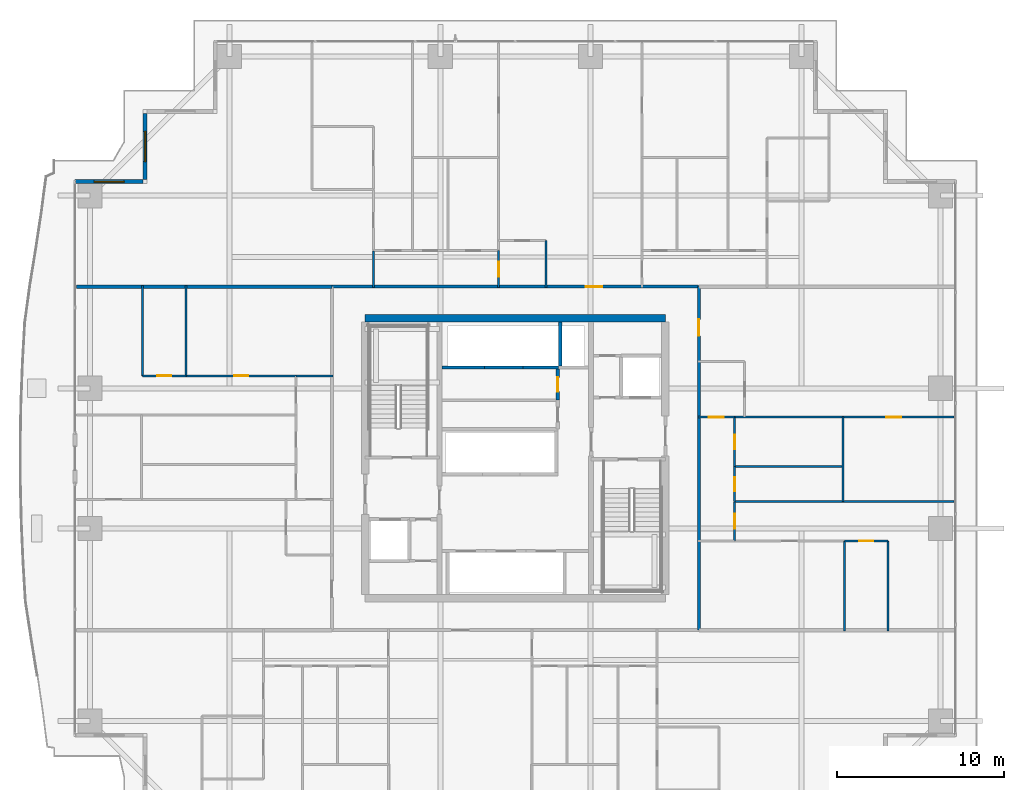
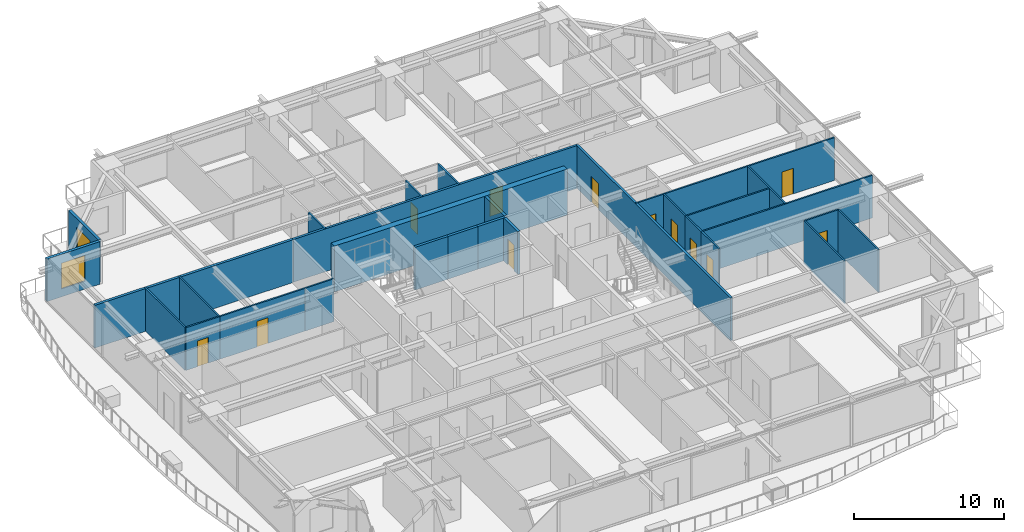
# One storey, part 30 of 41: 31 walls, 12 doors, 2 windows, 14 openings.
"""IFC4 building model written with IfcOpenShell, lengths in metres."""

from ifc_helpers import new_model, si_unit, direction, frame, frame_2d, origin, place, context, subcontext, project, spatial, rectangle, extrude, source, transform, mapped, material, layer, layer_set, type_object, element, fill, save


model = new_model("IFC4")

# Units and contexts
model_context = context("Model", 3, precision=1e-05, world=origin(), true_north=direction((0.0, 1.0)))
body_context = subcontext(model_context, "Body", "Model", "MODEL_VIEW")
ifc_project = project(units=[si_unit("LENGTHUNIT", "METRE"), si_unit("AREAUNIT", "SQUARE_METRE"), si_unit("VOLUMEUNIT", "CUBIC_METRE"), si_unit("PLANEANGLEUNIT", "RADIAN"), si_unit("MASSUNIT", "GRAM", prefix="KILO")], contexts=[model_context])

# Site, building, storey
site_placement = place(None, origin())
site = spatial("IfcSite", under=ifc_project, at=site_placement, CompositionType="ELEMENT")
building_placement = place(site_placement, origin())
building = spatial("IfcBuilding", under=site, at=building_placement, Name="Serunith Strait Residences", CompositionType="ELEMENT")
storey_placement = place(building_placement, frame((0.0, 0.0, 75.449951171875)))
storey = spatial("IfcBuildingStorey", under=building, at=storey_placement, Name="L18", CompositionType="ELEMENT", Elevation=75.449951171875)

# Wall, opening, window
ifc_material_1 = material(Name="Pale-Champagne Aluminium Insulated Panel", Category="aluminium")
ifc_layer_1 = layer(ifc_material_1, 0.219970703125, Name="Pale-Champagne Aluminium Insulated Panel")
ifc_layer_set_1 = layer_set([ifc_layer_1], Name="Pale-Champagne Aluminium Insulated Panel")
wall_type_1 = type_object("IfcWallType", Name="EW-ALUM-220", PredefinedType="ELEMENTEDWALL", material=ifc_layer_set_1)
wall_1_placement = place(storey_placement, frame((10.199951171875, 45.889892578125, 0.0), z_axis=(0.0, 0.0, 1.0), x_axis=(0.0, -1.0, 0.0)))
wall_1 = element("IfcWall", 1, at=wall_1_placement, inside=storey, type_object=wall_type_1, Name="L18 Girih Serrated Corner Wall 14", PredefinedType="ELEMENTEDWALL", context=body_context, shape_type="SweptSolid", body=[
    extrude(rectangle(XDim=3.97998046875, YDim=0.219970703125, at=frame_2d((1.989990234375, 0.0))), origin(), (0.0, 0.0, 1.0), 3.47509765625),
])
opening_1_placement = place(wall_1_placement, frame((1.090087890625, 0.0, 0.64990234375)))
opening_1 = element("IfcOpeningElement", 2, at=opening_1_placement, cuts=wall_1, Name="Opening W-01", PredefinedType="OPENING", context=body_context, shape_type="SweptSolid", body=[
    extrude(rectangle(XDim=1.800048828125, YDim=2.10009765625, at=frame_2d((0.89990234375, 1.050048828125))), frame((0.0, 0.1201171875, 0.0), z_axis=(0.0, -1.0, 0.0), x_axis=(1.0, 0.0, 0.0)), (0.0, 0.0, 1.0), 0.239990234375),
])
ifc_material_2 = material(Name="Ceramic-Fritted Operable Aluminium Window Glass", Category="aluminium")
window_type = type_object("IfcWindowType", Name="WIN-C1", PartitioningType="DOUBLE_PANEL_VERTICAL", PredefinedType="WINDOW", material=ifc_material_2)
shared_shape_1 = source(origin(), body_context, "Body", "SweptSolid", [
    extrude(rectangle(XDim=1.800048828125, YDim=2.10009765625, at=frame_2d((0.89990234375, 1.050048828125))), frame((0.0, 0.030029296875, 0.0), z_axis=(0.0, -1.0, 0.0), x_axis=(1.0, 0.0, 0.0)), (0.0, 0.0, 1.0), 0.06005859375),
])
window_1_placement = place(opening_1_placement, origin())
window_1 = element("IfcWindow", 3, at=window_1_placement, inside=storey, type_object=window_type, Name="L18 Corner Operable Fritted Window 14", OverallHeight=2.10009765625, OverallWidth=1.800048828125, PartitioningType="SINGLE_PANEL", PredefinedType="WINDOW", context=body_context, shape_type="MappedRepresentation", body=[
    mapped(shared_shape_1, transform((0.0, 0.0, 0.0), scale=1.0)),
])
fill(opening_1, window_1)

wall_2_placement = place(storey_placement, frame((10.090087890625, 41.800048828125, 0.0), z_axis=(0.0, 0.0, 1.0), x_axis=(-1.0, 0.0, 0.0)))
wall_2 = element("IfcWall", 4, at=wall_2_placement, inside=storey, type_object=wall_type_1, Name="L18 Girih Serrated Corner Wall 15", PredefinedType="ELEMENTEDWALL", context=body_context, shape_type="SweptSolid", body=[
    extrude(rectangle(XDim=4.090087890625, YDim=0.219970703125, at=frame_2d((2.044921875, 0.0))), origin(), (0.0, 0.0, 1.0), 3.47509765625),
])
opening_2_placement = place(wall_2_placement, frame((1.14501953125, 0.0, 0.64990234375)))
opening_2 = element("IfcOpeningElement", 5, at=opening_2_placement, cuts=wall_2, Name="Opening W-01", PredefinedType="OPENING", context=body_context, shape_type="SweptSolid", body=[
    extrude(rectangle(XDim=1.800048828125, YDim=2.10009765625, at=frame_2d((0.89990234375, 1.050048828125))), frame((0.0, 0.1201171875, 0.0), z_axis=(0.0, -1.0, 0.0), x_axis=(1.0, 0.0, 0.0)), (0.0, 0.0, 1.0), 0.239990234375),
])
window_2_placement = place(opening_2_placement, origin())
window_2 = element("IfcWindow", 6, at=window_2_placement, inside=storey, type_object=window_type, Name="L18 Corner Operable Fritted Window 15", OverallHeight=2.10009765625, OverallWidth=1.800048828125, PartitioningType="SINGLE_PANEL", PredefinedType="WINDOW", context=body_context, shape_type="MappedRepresentation", body=[
    mapped(shared_shape_1, transform((0.0, 0.0, 0.0), scale=1.0)),
])
fill(opening_2, window_2)

# Wall, opening, door
ifc_material_3 = material(Name="Fire-rated acoustic gypsum partition")
ifc_layer_2 = layer(ifc_material_3, 0.179931640625, Name="Fire-rated acoustic gypsum partition")
ifc_layer_set_2 = layer_set([ifc_layer_2], Name="Fire-rated acoustic gypsum partition")
wall_type_2 = type_object("IfcWallType", Name="IW-CORR-180", PredefinedType="PARTITIONING", material=ifc_layer_set_2)
wall_3_placement = place(storey_placement, frame((21.402099609375, 35.5, 0.0), z_axis=(0.0, 0.0, 1.0), x_axis=(1.0, 0.0, 0.0)))
wall_3 = element("IfcWall", 7, at=wall_3_placement, inside=storey, type_object=wall_type_2, Name="L18 Partition Wall 022", PredefinedType="PARTITIONING", context=body_context, shape_type="SweptSolid", body=[
    extrude(rectangle(XDim=21.995849609375, YDim=0.179931640625, at=frame_2d((10.998046875, 0.0))), origin(), (0.0, 0.0, 1.0), 3.489990234375),
])
opening_3_placement = place(wall_3_placement, frame((15.221923828125, 0.0, 0.0)))
opening_3 = element("IfcOpeningElement", 8, at=opening_3_placement, cuts=wall_3, Name="Opening D-APT1000", PredefinedType="OPENING", context=body_context, shape_type="SweptSolid", body=[
    extrude(rectangle(XDim=1.0, YDim=2.14990234375, at=frame_2d((0.5, 1.074951171875))), frame((0.0, 0.10009765625, 0.0), z_axis=(0.0, -1.0, 0.0), x_axis=(1.0, 0.0, 0.0)), (0.0, 0.0, 1.0), 0.199951171875),
])
ifc_material_4 = material(Name="Solid timber engineered fire door", Category="wood")
door_type_1 = type_object("IfcDoorType", Name="ID-APT-1000", OperationType="NOTDEFINED", PredefinedType="DOOR", material=ifc_material_4)
shared_shape_2 = source(origin(), body_context, "Body", "SweptSolid", [
    extrude(rectangle(XDim=1.0, YDim=2.14990234375, at=frame_2d((0.5, 1.074951171875))), frame((0.0, 0.02490234375, 0.0), z_axis=(0.0, -1.0, 0.0), x_axis=(1.0, 0.0, 0.0)), (0.0, 0.0, 1.0), 0.050048828125),
])
door_1_placement = place(opening_3_placement, origin())
door_1 = element("IfcDoor", 9, at=door_1_placement, inside=storey, type_object=door_type_1, Name="L18 Unit 02 Entrance Door", OperationType="SINGLE_SWING_LEFT", OverallHeight=2.14990234375, OverallWidth=1.0, PredefinedType="DOOR", context=body_context, shape_type="MappedRepresentation", body=[
    mapped(shared_shape_2, transform((0.0, 0.0, 0.0), scale=1.0)),
])
fill(opening_3, door_1)

wall_4_placement = place(storey_placement, frame((43.39990234375, 14.89990234375, 0.0), z_axis=(0.0, 0.0, 1.0), x_axis=(0.0, 1.0, 0.0)))
wall_4 = element("IfcWall", 10, at=wall_4_placement, inside=storey, type_object=wall_type_2, Name="L18 Partition Wall 024", PredefinedType="PARTITIONING", context=body_context, shape_type="SweptSolid", body=[
    extrude(rectangle(XDim=20.60009765625, YDim=0.179931640625, at=frame_2d((10.300048828125, 0.0))), origin(), (0.0, 0.0, 1.0), 3.489990234375),
])
opening_4_placement = place(wall_4_placement, frame((17.639892578125, 0.0, 0.0)))
opening_4 = element("IfcOpeningElement", 11, at=opening_4_placement, cuts=wall_4, Name="Opening D-APT1000", PredefinedType="OPENING", context=body_context, shape_type="SweptSolid", body=[
    extrude(rectangle(XDim=1.0, YDim=2.14990234375, at=frame_2d((0.5, 1.074951171875))), frame((0.0, 0.10009765625, 0.0), z_axis=(0.0, -1.0, 0.0), x_axis=(1.0, 0.0, 0.0)), (0.0, 0.0, 1.0), 0.199951171875),
])
door_2_placement = place(opening_4_placement, origin())
door_2 = element("IfcDoor", 12, at=door_2_placement, inside=storey, type_object=door_type_1, Name="L18 Unit 04 Entrance Door", OperationType="SINGLE_SWING_LEFT", OverallHeight=2.14990234375, OverallWidth=1.0, PredefinedType="DOOR", context=body_context, shape_type="MappedRepresentation", body=[
    mapped(shared_shape_2, transform((0.0, 0.0, 0.0), scale=1.0)),
])
fill(opening_4, door_2)

# Wall
ifc_material_5 = material(Name="Lightweight steel-stud gypsum partition", Category="steel")
ifc_layer_3 = layer(ifc_material_5, 0.1201171875, Name="Lightweight steel-stud gypsum partition")
ifc_layer_set_3 = layer_set([ifc_layer_3], Name="Lightweight steel-stud gypsum partition")
wall_type_3 = type_object("IfcWallType", Name="IW-PART-120", PredefinedType="PARTITIONING", material=ifc_layer_set_3)
wall_5_placement = place(storey_placement, frame((34.25, 38.25, 0.0), z_axis=(0.0, 0.0, 1.0), x_axis=(0.0, -1.0, 0.0)))
element("IfcWall", 13, at=wall_5_placement, inside=storey, type_object=wall_type_3, Name="L18 Partition Wall 056", PredefinedType="PARTITIONING", context=body_context, shape_type="SweptSolid", body=[
    extrude(rectangle(XDim=2.81005859375, YDim=0.1201171875, at=frame_2d((1.405029296875, 0.0))), origin(), (0.0, 0.0, 1.0), 3.489990234375),
])

# Wall, opening, door
wall_6_placement = place(storey_placement, frame((31.39990234375, 37.64990234375, 0.0), z_axis=(0.0, 0.0, 1.0), x_axis=(0.0, -1.0, 0.0)))
wall_6 = element("IfcWall", 14, at=wall_6_placement, inside=storey, type_object=wall_type_3, Name="L18 Partition Wall 057", PredefinedType="PARTITIONING", context=body_context, shape_type="SweptSolid", body=[
    extrude(rectangle(XDim=2.2099609375, YDim=0.1201171875, at=frame_2d((1.10498046875, 0.0))), origin(), (0.0, 0.0, 1.0), 3.489990234375),
])
opening_5_placement = place(wall_6_placement, frame((0.655029296875, 0.0, 0.0)))
opening_5 = element("IfcOpeningElement", 15, at=opening_5_placement, cuts=wall_6, Name="Opening D-RM900", PredefinedType="OPENING", context=body_context, shape_type="SweptSolid", body=[
    extrude(rectangle(XDim=0.89990234375, YDim=2.10009765625, at=frame_2d((0.449951171875, 1.050048828125))), frame((0.0, 0.070068359375, 0.0), z_axis=(0.0, -1.0, 0.0), x_axis=(1.0, 0.0, 0.0)), (0.0, 0.0, 1.0), 0.14013671875),
])
ifc_material_6 = material(Name="Engineered timber flush bedroom door", Category="wood")
door_type_2 = type_object("IfcDoorType", Name="ID-ROOM-900", OperationType="NOTDEFINED", PredefinedType="DOOR", material=ifc_material_6)
shared_shape_3 = source(origin(), body_context, "Body", "SweptSolid", [
    extrude(rectangle(XDim=0.89990234375, YDim=2.10009765625, at=frame_2d((0.449951171875, 1.050048828125))), frame((0.0, 0.02490234375, 0.0), z_axis=(0.0, -1.0, 0.0), x_axis=(1.0, 0.0, 0.0)), (0.0, 0.0, 1.0), 0.050048828125),
])
door_3_placement = place(opening_5_placement, origin())
door_3 = element("IfcDoor", 16, at=door_3_placement, inside=storey, type_object=door_type_2, Name="L18 Hall W 1802 Door", OperationType="SINGLE_SWING_LEFT", OverallHeight=2.10009765625, OverallWidth=0.89990234375, PredefinedType="DOOR", context=body_context, shape_type="MappedRepresentation", body=[
    mapped(shared_shape_3, transform((0.0, 0.0, 0.0), scale=1.0)),
])
fill(opening_5, door_3)

# Walls
wall_7_placement = place(storey_placement, frame((23.89990234375, 37.64794921875, 0.0), z_axis=(0.0, 0.0, 1.0), x_axis=(0.0, -1.0, 0.0)))
element("IfcWall", 17, at=wall_7_placement, inside=storey, type_object=wall_type_3, Name="L18 Partition Wall 071", PredefinedType="PARTITIONING", context=body_context, shape_type="SweptSolid", body=[
    extrude(rectangle(XDim=2.2080078125, YDim=0.1201171875, at=frame_2d((1.10400390625, 0.0))), origin(), (0.0, 0.0, 1.0), 3.489990234375),
])
for number, where, z_axis, x_axis, name in (
    (18, (10.050048828125, 30.14990234375, 0.0), (0.0, 0.0, 1.0), (0.0, 1.0, 0.0), "L18 Partition Wall 098"),
    (19, (12.6669921875, 30.14990234375, 0.0), (0.0, 0.0, 1.0), (0.0, 1.0, 0.0), "L18 Partition Wall 099"),
):
    element("IfcWall", number, at=place(storey_placement, frame(where, z_axis=z_axis, x_axis=x_axis)), inside=storey, type_object=wall_type_3, Name=name, PredefinedType="PARTITIONING", context=body_context, shape_type="SweptSolid", body=[
        extrude(rectangle(XDim=5.41015625, YDim=0.1201171875, at=frame_2d((2.705078125, 0.0))), origin(), (0.0, 0.0, 1.0), 3.489990234375),
    ])

# Wall, opening, door
wall_8_placement = place(storey_placement, frame((10.050048828125, 30.14990234375, 0.0), z_axis=(0.0, 0.0, 1.0), x_axis=(1.0, 0.0, 0.0)))
wall_8 = element("IfcWall", 20, at=wall_8_placement, inside=storey, type_object=wall_type_3, Name="L18 Partition Wall 100", PredefinedType="PARTITIONING", context=body_context, shape_type="SweptSolid", body=[
    extrude(rectangle(XDim=2.616943359375, YDim=0.1201171875, at=frame_2d((1.30859375, 0.0))), origin(), (0.0, 0.0, 1.0), 3.489990234375),
])
opening_6_placement = place(wall_8_placement, frame((0.883056640625, 0.0, 0.0)))
opening_6 = element("IfcOpeningElement", 21, at=opening_6_placement, cuts=wall_8, Name="Opening D-BTH850", PredefinedType="OPENING", context=body_context, shape_type="SweptSolid", body=[
    extrude(rectangle(XDim=0.85009765625, YDim=2.10009765625, at=frame_2d((0.425048828125, 1.050048828125))), frame((0.0, 0.070068359375, 0.0), z_axis=(0.0, -1.0, 0.0), x_axis=(1.0, 0.0, 0.0)), (0.0, 0.0, 1.0), 0.14013671875),
])
ifc_material_7 = material(Name="Moisture-resistant timber bathroom door", Category="wood")
door_type_3 = type_object("IfcDoorType", Name="ID-BATH-850", OperationType="NOTDEFINED", PredefinedType="DOOR", material=ifc_material_7)
shared_shape_4 = source(origin(), body_context, "Body", "SweptSolid", [
    extrude(rectangle(XDim=0.85009765625, YDim=2.10009765625, at=frame_2d((0.425048828125, 1.050048828125))), frame((0.0, 0.02490234375, 0.0), z_axis=(0.0, -1.0, 0.0), x_axis=(1.0, 0.0, 0.0)), (0.0, 0.0, 1.0), 0.050048828125),
])
door_4_placement = place(opening_6_placement, origin())
door_4 = element("IfcDoor", 22, at=door_4_placement, inside=storey, type_object=door_type_3, Name="L18 En-suite Bathroom E 1803 Door", OperationType="SINGLE_SWING_LEFT", OverallHeight=2.10009765625, OverallWidth=0.85009765625, PredefinedType="DOOR", context=body_context, shape_type="MappedRepresentation", body=[
    mapped(shared_shape_4, transform((0.0, 0.0, 0.0), scale=1.0)),
])
fill(opening_6, door_4)

wall_9_placement = place(storey_placement, frame((12.6689453125, 30.14990234375, 0.0), z_axis=(0.0, 0.0, 1.0), x_axis=(1.0, 0.0, 0.0)))
wall_9 = element("IfcWall", 23, at=wall_9_placement, inside=storey, type_object=wall_type_3, Name="L18 Partition Wall 101", PredefinedType="PARTITIONING", context=body_context, shape_type="SweptSolid", body=[
    extrude(rectangle(XDim=6.5810546875, YDim=0.1201171875, at=frame_2d((3.29052734375, 0.0))), origin(), (0.0, 0.0, 1.0), 3.489990234375),
])
opening_7_placement = place(wall_9_placement, frame((2.864990234375, 0.0, 0.0)))
opening_7 = element("IfcOpeningElement", 24, at=opening_7_placement, cuts=wall_9, Name="Opening D-RM850", PredefinedType="OPENING", context=body_context, shape_type="SweptSolid", body=[
    extrude(rectangle(XDim=0.85009765625, YDim=2.10009765625, at=frame_2d((0.425048828125, 1.050048828125))), frame((0.0, 0.070068359375, 0.0), z_axis=(0.0, -1.0, 0.0), x_axis=(1.0, 0.0, 0.0)), (0.0, 0.0, 1.0), 0.14013671875),
])
ifc_material_8 = material(Name="Engineered timber flush study and kitchen door", Category="wood")
door_type_4 = type_object("IfcDoorType", Name="ID-ROOM-850", OperationType="NOTDEFINED", PredefinedType="DOOR", material=ifc_material_8)
door_5_placement = place(opening_7_placement, origin())
door_5 = element("IfcDoor", 25, at=door_5_placement, inside=storey, type_object=door_type_4, Name="L18 Wardrobe E 1803 Door", OperationType="SINGLE_SWING_RIGHT", OverallHeight=2.10009765625, OverallWidth=0.85009765625, PredefinedType="DOOR", context=body_context, shape_type="MappedRepresentation", body=[
    mapped(shared_shape_4, transform((0.0, 0.0, 0.0), scale=1.0)),
])
fill(opening_7, door_5)

# Wall
wall_10_placement = place(storey_placement, frame((19.251953125, 30.14990234375, 0.0), z_axis=(0.0, 0.0, 1.0), x_axis=(1.0, 0.0, 0.0)))
element("IfcWall", 26, at=wall_10_placement, inside=storey, type_object=wall_type_3, Name="L18 Partition Wall 102", PredefinedType="PARTITIONING", context=body_context, shape_type="SweptSolid", body=[
    extrude(rectangle(XDim=2.2080078125, YDim=0.1201171875, at=frame_2d((1.10400390625, 0.0))), origin(), (0.0, 0.0, 1.0), 3.489990234375),
])

# Wall, opening, door
wall_11_placement = place(storey_placement, frame((45.550048828125, 27.669921875, 0.0), z_axis=(0.0, 0.0, 1.0), x_axis=(-1.0, 0.0, 0.0)))
wall_11 = element("IfcWall", 27, at=wall_11_placement, inside=storey, type_object=wall_type_3, Name="L18 Partition Wall 105", PredefinedType="PARTITIONING", context=body_context, shape_type="SweptSolid", body=[
    extrude(rectangle(XDim=2.2099609375, YDim=0.1201171875, at=frame_2d((1.10498046875, 0.0))), origin(), (0.0, 0.0, 1.0), 3.489990234375),
])
opening_8_placement = place(wall_11_placement, frame((0.655029296875, 0.0, 0.0)))
opening_8 = element("IfcOpeningElement", 28, at=opening_8_placement, cuts=wall_11, Name="Opening D-RM900", PredefinedType="OPENING", context=body_context, shape_type="SweptSolid", body=[
    extrude(rectangle(XDim=0.89990234375, YDim=2.10009765625, at=frame_2d((0.449951171875, 1.050048828125))), frame((0.0, 0.070068359375, 0.0), z_axis=(0.0, -1.0, 0.0), x_axis=(1.0, 0.0, 0.0)), (0.0, 0.0, 1.0), 0.14013671875),
])
door_6_placement = place(opening_8_placement, origin())
door_6 = element("IfcDoor", 29, at=door_6_placement, inside=storey, type_object=door_type_2, Name="L18 Hall W 1804 Door", OperationType="SINGLE_SWING_RIGHT", OverallHeight=2.10009765625, OverallWidth=0.89990234375, PredefinedType="DOOR", context=body_context, shape_type="MappedRepresentation", body=[
    mapped(shared_shape_3, transform((0.0, 0.0, 0.0), scale=1.0)),
])
fill(opening_8, door_6)

wall_12_placement = place(storey_placement, frame((58.705078125, 27.669921875, 0.0), z_axis=(0.0, 0.0, 1.0), x_axis=(-1.0, 0.0, 0.0)))
wall_12 = element("IfcWall", 30, at=wall_12_placement, inside=storey, type_object=wall_type_3, Name="L18 Partition Wall 106", PredefinedType="PARTITIONING", context=body_context, shape_type="SweptSolid", body=[
    extrude(rectangle(XDim=6.670166015625, YDim=0.1201171875, at=frame_2d((3.3349609375, 0.0))), origin(), (0.0, 0.0, 1.0), 3.489990234375),
])
opening_9_placement = place(wall_12_placement, frame((3.174072265625, 0.0, 0.0)))
opening_9 = element("IfcOpeningElement", 31, at=opening_9_placement, cuts=wall_12, Name="Opening D-RM900", PredefinedType="OPENING", context=body_context, shape_type="SweptSolid", body=[
    extrude(rectangle(XDim=0.89990234375, YDim=2.10009765625, at=frame_2d((0.449951171875, 1.050048828125))), frame((0.0, 0.070068359375, 0.0), z_axis=(0.0, -1.0, 0.0), x_axis=(1.0, 0.0, 0.0)), (0.0, 0.0, 1.0), 0.14013671875),
])
door_7_placement = place(opening_9_placement, origin())
door_7 = element("IfcDoor", 32, at=door_7_placement, inside=storey, type_object=door_type_2, Name="L18 Formal Dining Room 1 1804 Door", OperationType="SINGLE_SWING_LEFT", OverallHeight=2.10009765625, OverallWidth=0.89990234375, PredefinedType="DOOR", context=body_context, shape_type="MappedRepresentation", body=[
    mapped(shared_shape_3, transform((0.0, 0.0, 0.0), scale=1.0)),
])
fill(opening_9, door_7)

# Walls
wall_13_placement = place(storey_placement, frame((52.032958984375, 27.669921875, 0.0), z_axis=(0.0, 0.0, 1.0), x_axis=(-1.0, 0.0, 0.0)))
element("IfcWall", 33, at=wall_13_placement, inside=storey, type_object=wall_type_3, Name="L18 Partition Wall 107", PredefinedType="PARTITIONING", context=body_context, shape_type="SweptSolid", body=[
    extrude(rectangle(XDim=6.48095703125, YDim=0.1201171875, at=frame_2d((3.240478515625, 0.0))), origin(), (0.0, 0.0, 1.0), 3.489990234375),
])
wall_14_placement = place(storey_placement, frame((52.034912109375, 22.60009765625, 0.0), z_axis=(0.0, 0.0, 1.0), x_axis=(0.0, 1.0, 0.0)))
element("IfcWall", 34, at=wall_14_placement, inside=storey, type_object=wall_type_3, Name="L18 Partition Wall 108", PredefinedType="PARTITIONING", context=body_context, shape_type="SweptSolid", body=[
    extrude(rectangle(XDim=5.06982421875, YDim=0.1201171875, at=frame_2d((2.534912109375, 0.0))), origin(), (0.0, 0.0, 1.0), 3.489990234375),
])
wall_15_placement = place(storey_placement, frame((58.705078125, 22.60009765625, 0.0), z_axis=(0.0, 0.0, 1.0), x_axis=(-1.0, 0.0, 0.0)))
element("IfcWall", 35, at=wall_15_placement, inside=storey, type_object=wall_type_3, Name="L18 Partition Wall 109", PredefinedType="PARTITIONING", context=body_context, shape_type="SweptSolid", body=[
    extrude(rectangle(XDim=13.155029296875, YDim=0.1201171875, at=frame_2d((6.57763671875, 0.0))), origin(), (0.0, 0.0, 1.0), 3.489990234375),
])
wall_16_placement = place(storey_placement, frame((52.034912109375, 24.699951171875, 0.0), z_axis=(0.0, 0.0, 1.0), x_axis=(-1.0, 0.0, 0.0)))
element("IfcWall", 36, at=wall_16_placement, inside=storey, type_object=wall_type_3, Name="L18 Partition Wall 110", PredefinedType="PARTITIONING", context=body_context, shape_type="SweptSolid", body=[
    extrude(rectangle(XDim=6.48486328125, YDim=0.1201171875, at=frame_2d((3.242431640625, 0.0))), origin(), (0.0, 0.0, 1.0), 3.489990234375),
])

# Wall, opening, door
wall_17_placement = place(storey_placement, frame((45.550048828125, 22.60009765625, 0.0), z_axis=(0.0, 0.0, 1.0), x_axis=(0.0, 1.0, 0.0)))
wall_17 = element("IfcWall", 37, at=wall_17_placement, inside=storey, type_object=wall_type_3, Name="L18 Partition Wall 111", PredefinedType="PARTITIONING", context=body_context, shape_type="SweptSolid", body=[
    extrude(rectangle(XDim=2.099853515625, YDim=0.1201171875, at=frame_2d((1.0498046875, 0.0))), origin(), (0.0, 0.0, 1.0), 3.489990234375),
])
opening_10_placement = place(wall_17_placement, frame((0.625, 0.0, 0.0)))
opening_10 = element("IfcOpeningElement", 38, at=opening_10_placement, cuts=wall_17, Name="Opening D-BTH850", PredefinedType="OPENING", context=body_context, shape_type="SweptSolid", body=[
    extrude(rectangle(XDim=0.85009765625, YDim=2.10009765625, at=frame_2d((0.425048828125, 1.050048828125))), frame((0.0, 0.070068359375, 0.0), z_axis=(0.0, -1.0, 0.0), x_axis=(1.0, 0.0, 0.0)), (0.0, 0.0, 1.0), 0.14013671875),
])
door_8_placement = place(opening_10_placement, origin())
door_8 = element("IfcDoor", 39, at=door_8_placement, inside=storey, type_object=door_type_3, Name="L18 Bathroom 1804 Door", OperationType="SINGLE_SWING_RIGHT", OverallHeight=2.10009765625, OverallWidth=0.85009765625, PredefinedType="DOOR", context=body_context, shape_type="MappedRepresentation", body=[
    mapped(shared_shape_4, transform((0.0, 0.0, 0.0), scale=1.0)),
])
fill(opening_10, door_8)

wall_18_placement = place(storey_placement, frame((45.550048828125, 24.701904296875, 0.0), z_axis=(0.0, 0.0, 1.0), x_axis=(0.0, 1.0, 0.0)))
wall_18 = element("IfcWall", 40, at=wall_18_placement, inside=storey, type_object=wall_type_3, Name="L18 Partition Wall 112", PredefinedType="PARTITIONING", context=body_context, shape_type="SweptSolid", body=[
    extrude(rectangle(XDim=2.968017578125, YDim=0.1201171875, at=frame_2d((1.48388671875, 0.0))), origin(), (0.0, 0.0, 1.0), 3.489990234375),
])
opening_11_placement = place(wall_18_placement, frame((1.05908203125, 0.0, 0.0)))
opening_11 = element("IfcOpeningElement", 41, at=opening_11_placement, cuts=wall_18, Name="Opening D-RM850", PredefinedType="OPENING", context=body_context, shape_type="SweptSolid", body=[
    extrude(rectangle(XDim=0.85009765625, YDim=2.10009765625, at=frame_2d((0.425048828125, 1.050048828125))), frame((0.0, 0.070068359375, 0.0), z_axis=(0.0, -1.0, 0.0), x_axis=(1.0, 0.0, 0.0)), (0.0, 0.0, 1.0), 0.14013671875),
])
door_9_placement = place(opening_11_placement, origin())
door_9 = element("IfcDoor", 42, at=door_9_placement, inside=storey, type_object=door_type_4, Name="L18 Laundry Room 1804 Door", OperationType="SINGLE_SWING_LEFT", OverallHeight=2.10009765625, OverallWidth=0.85009765625, PredefinedType="DOOR", context=body_context, shape_type="MappedRepresentation", body=[
    mapped(shared_shape_4, transform((0.0, 0.0, 0.0), scale=1.0)),
])
fill(opening_11, door_9)

wall_19_placement = place(storey_placement, frame((45.550048828125, 20.25, 0.0), z_axis=(0.0, 0.0, 1.0), x_axis=(0.0, 1.0, 0.0)))
wall_19 = element("IfcWall", 43, at=wall_19_placement, inside=storey, type_object=wall_type_3, Name="L18 Partition Wall 113", PredefinedType="PARTITIONING", context=body_context, shape_type="SweptSolid", body=[
    extrude(rectangle(XDim=2.347900390625, YDim=0.1201171875, at=frame_2d((1.173828125, 0.0))), origin(), (0.0, 0.0, 1.0), 3.489990234375),
])
opening_12_placement = place(wall_19_placement, frame((0.72412109375, 0.0, 0.0)))
opening_12 = element("IfcOpeningElement", 44, at=opening_12_placement, cuts=wall_19, Name="Opening D-RM900", PredefinedType="OPENING", context=body_context, shape_type="SweptSolid", body=[
    extrude(rectangle(XDim=0.89990234375, YDim=2.10009765625, at=frame_2d((0.449951171875, 1.050048828125))), frame((0.0, 0.070068359375, 0.0), z_axis=(0.0, -1.0, 0.0), x_axis=(1.0, 0.0, 0.0)), (0.0, 0.0, 1.0), 0.14013671875),
])
door_10_placement = place(opening_12_placement, origin())
door_10 = element("IfcDoor", 45, at=door_10_placement, inside=storey, type_object=door_type_2, Name="L18 Master Bedroom W 1804 Door", OperationType="SINGLE_SWING_RIGHT", OverallHeight=2.10009765625, OverallWidth=0.89990234375, PredefinedType="DOOR", context=body_context, shape_type="MappedRepresentation", body=[
    mapped(shared_shape_3, transform((0.0, 0.0, 0.0), scale=1.0)),
])
fill(opening_12, door_10)

# Walls
for number, where, z_axis, x_axis, name in (
    (46, (54.75, 14.840087890625, 0.0), (0.0, 0.0, 1.0), (0.0, 1.0, 0.0), "L18 Partition Wall 114"),
    (47, (52.133056640625, 14.840087890625, 0.0), (0.0, 0.0, 1.0), (0.0, 1.0, 0.0), "L18 Partition Wall 115"),
):
    element("IfcWall", number, at=place(storey_placement, frame(where, z_axis=z_axis, x_axis=x_axis)), inside=storey, type_object=wall_type_3, Name=name, PredefinedType="PARTITIONING", context=body_context, shape_type="SweptSolid", body=[
        extrude(rectangle(XDim=5.409912109375, YDim=0.1201171875, at=frame_2d((2.705078125, 0.0))), origin(), (0.0, 0.0, 1.0), 3.489990234375),
    ])

# Wall, opening, door
wall_20_placement = place(storey_placement, frame((54.75, 20.25, 0.0), z_axis=(0.0, 0.0, 1.0), x_axis=(-1.0, 0.0, 0.0)))
wall_20 = element("IfcWall", 48, at=wall_20_placement, inside=storey, type_object=wall_type_3, Name="L18 Partition Wall 116", PredefinedType="PARTITIONING", context=body_context, shape_type="SweptSolid", body=[
    extrude(rectangle(XDim=2.616943359375, YDim=0.1201171875, at=frame_2d((1.30859375, 0.0))), origin(), (0.0, 0.0, 1.0), 3.489990234375),
])
opening_13_placement = place(wall_20_placement, frame((0.883056640625, 0.0, 0.0)))
opening_13 = element("IfcOpeningElement", 49, at=opening_13_placement, cuts=wall_20, Name="Opening D-BTH850", PredefinedType="OPENING", context=body_context, shape_type="SweptSolid", body=[
    extrude(rectangle(XDim=0.85009765625, YDim=2.10009765625, at=frame_2d((0.425048828125, 1.050048828125))), frame((0.0, 0.070068359375, 0.0), z_axis=(0.0, -1.0, 0.0), x_axis=(1.0, 0.0, 0.0)), (0.0, 0.0, 1.0), 0.14013671875),
])
door_11_placement = place(opening_13_placement, origin())
door_11 = element("IfcDoor", 50, at=door_11_placement, inside=storey, type_object=door_type_3, Name="L18 En-suite Bathroom W 1804 Door", OperationType="SINGLE_SWING_LEFT", OverallHeight=2.10009765625, OverallWidth=0.85009765625, PredefinedType="DOOR", context=body_context, shape_type="MappedRepresentation", body=[
    mapped(shared_shape_4, transform((0.0, 0.0, 0.0), scale=1.0)),
])
fill(opening_13, door_11)

# Walls
ifc_material_9 = material(Name="Twin-stud acoustic gypsum board partition")
ifc_layer_4 = layer(ifc_material_9, 0.199951171875, Name="Twin-stud acoustic gypsum board partition")
ifc_layer_set_4 = layer_set([ifc_layer_4], Name="Twin-stud acoustic gypsum board partition")
wall_type_4 = type_object("IfcWallType", Name="IW-PARTY-200", PredefinedType="PARTITIONING", material=ifc_layer_set_4)
wall_21_placement = place(storey_placement, frame((6.08203125, 35.5, 0.0), z_axis=(0.0, 0.0, 1.0), x_axis=(1.0, 0.0, 0.0)))
element("IfcWall", 51, at=wall_21_placement, inside=storey, type_object=wall_type_4, Name="L18 Partition Wall 019", PredefinedType="PARTITIONING", context=body_context, shape_type="SweptSolid", body=[
    extrude(rectangle(XDim=15.31787109375, YDim=0.199951171875, at=frame_2d((7.658935546875, 0.0))), origin(), (0.0, 0.0, 1.0), 3.489990234375),
])
ifc_material_10 = material(Name="Autoclaved aerated concrete blockwork", Category="masonry")
ifc_layer_5 = layer(ifc_material_10, 0.199951171875, Name="Autoclaved aerated concrete blockwork")
ifc_layer_set_5 = layer_set([ifc_layer_5], Name="Autoclaved aerated concrete blockwork")
wall_type_5 = type_object("IfcWallType", Name="IW-SHAFT-200", PredefinedType="STANDARD", material=ifc_layer_set_5)
wall_22_placement = place(storey_placement, frame((28.0, 30.64990234375, 0.0), z_axis=(0.0, 0.0, 1.0), x_axis=(1.0, 0.0, 0.0)))
element("IfcWall", 52, at=wall_22_placement, inside=storey, type_object=wall_type_5, Name="L18 PL-7 South Shaft Wall", PredefinedType="STANDARD", context=body_context, shape_type="SweptSolid", body=[
    extrude(rectangle(XDim=2.550048828125, YDim=0.199951171875, at=frame_2d((1.27490234375, 0.0))), origin(), (0.0, 0.0, 1.0), 3.489990234375),
])
wall_23_placement = place(storey_placement, frame((30.550048828125, 30.64990234375, 0.0), z_axis=(0.0, 0.0, 1.0), x_axis=(1.0, 0.0, 0.0)))
element("IfcWall", 53, at=wall_23_placement, inside=storey, type_object=wall_type_5, Name="L18 PL-8 South Shaft Wall", PredefinedType="STANDARD", context=body_context, shape_type="SweptSolid", body=[
    extrude(rectangle(XDim=2.300048828125, YDim=0.199951171875, at=frame_2d((1.14990234375, 0.0))), origin(), (0.0, 0.0, 1.0), 3.489990234375),
])
wall_24_placement = place(storey_placement, frame((32.85009765625, 30.64990234375, 0.0), z_axis=(0.0, 0.0, 1.0), x_axis=(1.0, 0.0, 0.0)))
element("IfcWall", 54, at=wall_24_placement, inside=storey, type_object=wall_type_5, Name="L18 PL-9 South Shaft Wall", PredefinedType="STANDARD", context=body_context, shape_type="SweptSolid", body=[
    extrude(rectangle(XDim=2.14990234375, YDim=0.199951171875, at=frame_2d((1.074951171875, 0.0))), origin(), (0.0, 0.0, 1.0), 3.489990234375),
])
wall_25_placement = place(storey_placement, frame((35.10009765625, 30.75, 0.0), z_axis=(0.0, 0.0, 1.0), x_axis=(0.0, 1.0, 0.0)))
element("IfcWall", 55, at=wall_25_placement, inside=storey, type_object=wall_type_5, Name="L18 SL-1 West Shaft Wall", PredefinedType="STANDARD", context=body_context, shape_type="SweptSolid", body=[
    extrude(rectangle(XDim=2.625, YDim=0.199951171875, at=frame_2d((1.3125, 0.0))), origin(), (0.0, 0.0, 1.0), 3.489990234375),
])

# Wall, opening, door
wall_26_placement = place(storey_placement, frame((34.949951171875, 28.701904296875, 0.0), z_axis=(0.0, 0.0, 1.0), x_axis=(0.0, 1.0, 0.0)))
wall_26 = element("IfcWall", 56, at=wall_26_placement, inside=storey, type_object=wall_type_5, Name="L18 Partition Wall 015", PredefinedType="STANDARD", context=body_context, shape_type="SweptSolid", body=[
    extrude(rectangle(XDim=1.84814453125, YDim=0.199951171875, at=frame_2d((0.924072265625, 0.0))), origin(), (0.0, 0.0, 1.0), 3.489990234375),
])
opening_14_placement = place(wall_26_placement, frame((0.4990234375, 0.0, 0.0)))
opening_14 = element("IfcOpeningElement", 57, at=opening_14_placement, cuts=wall_26, Name="Opening FD-850", PredefinedType="OPENING", context=body_context, shape_type="SweptSolid", body=[
    extrude(rectangle(XDim=0.85009765625, YDim=2.10009765625, at=frame_2d((0.425048828125, 1.050048828125))), frame((0.0, 0.10986328125, 0.0), z_axis=(0.0, -1.0, 0.0), x_axis=(1.0, 0.0, 0.0)), (0.0, 0.0, 1.0), 0.219970703125),
])
ifc_material_11 = material(Name="Powder-coated steel service closet door", Category="steel")
door_type_5 = type_object("IfcDoorType", Name="FD-BOH-850", OperationType="NOTDEFINED", PredefinedType="DOOR", material=ifc_material_11)
door_12_placement = place(opening_14_placement, origin())
door_12 = element("IfcDoor", 58, at=door_12_placement, inside=storey, type_object=door_type_5, Name="L18 Smoke Control Fan Door", OperationType="SINGLE_SWING_LEFT", OverallHeight=2.10009765625, OverallWidth=0.85009765625, PredefinedType="DOOR", context=body_context, shape_type="MappedRepresentation", body=[
    mapped(shared_shape_4, transform((0.0, 0.0, 0.0), scale=1.0)),
])
fill(opening_14, door_12)

# Wall
ifc_material_12 = material(Name="Concrete C80/95", Category="concrete")
ifc_layer_6 = layer(ifc_material_12, 0.449951171875, Name="Concrete C80/95")
ifc_layer_set_6 = layer_set([ifc_layer_6], Name="Concrete C80/95")
wall_type_6 = type_object("IfcWallType", Name="SW-450-C80", PredefinedType="SHEAR", material=ifc_layer_set_6)
wall_27_placement = place(storey_placement, frame((41.39990234375, 33.60009765625, -0.260009765625), z_axis=(0.0, 0.0, 1.0), x_axis=(-1.0, 0.0, 0.0)))
element("IfcWall", 59, at=wall_27_placement, inside=storey, type_object=wall_type_6, Name="L18 Core North Shear Wall", PredefinedType="SHEAR", context=body_context, shape_type="SweptSolid", body=[
    extrude(rectangle(XDim=18.0, YDim=0.449951171875, at=frame_2d((9.0, 0.0))), origin(), (0.0, 0.0, 1.0), 3.748046875),
])

save(model, "model.ifc")
